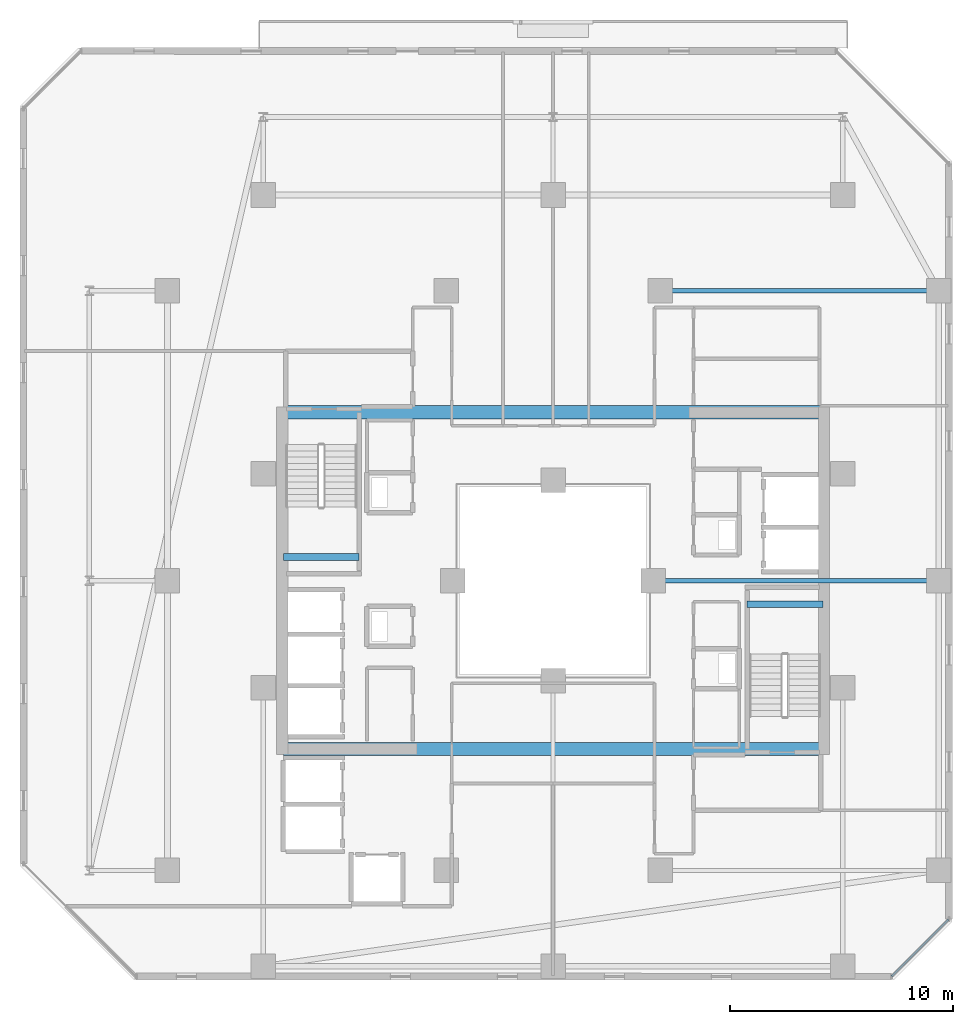
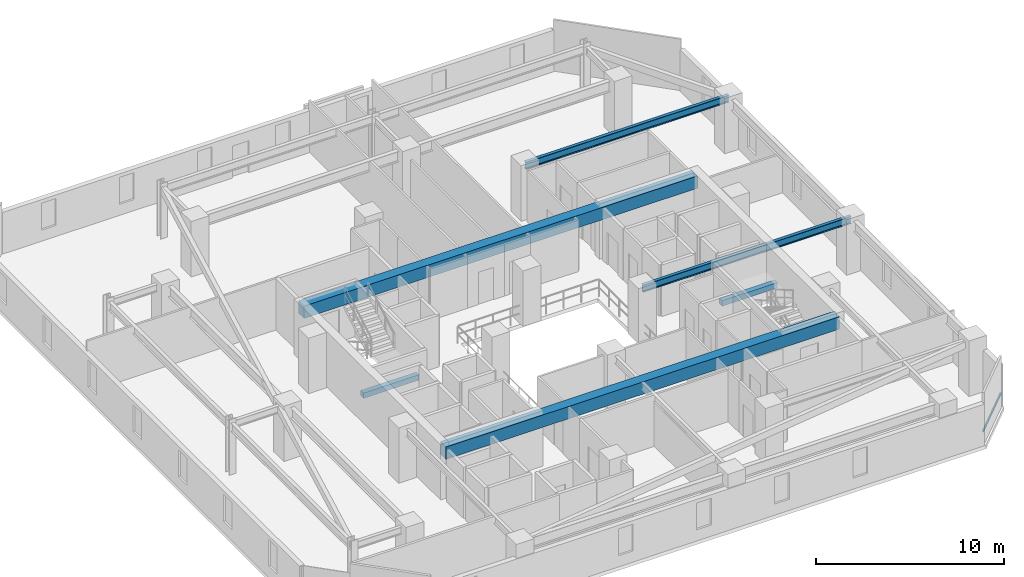
# One storey, part 14 of 33: 6 beams, 1 member, 1 element without a shape of its own.
"""IFC4 building model written with IfcOpenShell, lengths in metres."""

from ifc_helpers import new_model, si_unit, direction, frame, origin, origin_2d, place, context, subcontext, project, spatial, rectangle, hollow_rectangle, i_section, extrude, material, material_profile, profile_set, type_object, element, aggregate, save


model = new_model("IFC4")

# Units and contexts
model_context = context("Model", 3, precision=1e-05, world=origin(), true_north=direction((0.0, 1.0)))
body_context = subcontext(model_context, "Body", "Model", "MODEL_VIEW")
ifc_project = project(units=[si_unit("LENGTHUNIT", "METRE"), si_unit("AREAUNIT", "SQUARE_METRE"), si_unit("VOLUMEUNIT", "CUBIC_METRE"), si_unit("PLANEANGLEUNIT", "RADIAN"), si_unit("MASSUNIT", "GRAM", prefix="KILO")], contexts=[model_context])

# Site, building, storey
site_placement = place(None, origin())
site = spatial("IfcSite", under=ifc_project, at=site_placement, CompositionType="ELEMENT")
building_placement = place(site_placement, origin())
building = spatial("IfcBuilding", under=site, at=building_placement, Name="Thornwick Lancets Civic Towers", CompositionType="ELEMENT")
storey_placement = place(building_placement, frame((0.0, 0.0, 189.300048828125)))
storey = spatial("IfcBuildingStorey", under=building, at=storey_placement, Name="L50", CompositionType="ELEMENT", Elevation=189.300048828125)

# Beams
ifc_material_1 = material(Name="Concrete C60/75", Category="concrete")
ifc_material_profile_1 = material_profile(ifc_material_1, rectangle(XDim=0.60009765625, YDim=0.800048828125, at=origin_2d()), Name="RC 600x800")
ifc_profile_set_1 = profile_set([ifc_material_profile_1], Name="Concrete C60/75")
beam_type_1 = type_object("IfcBeamType", Name="BM_COUP_RC800", PredefinedType="BEAM", material=ifc_profile_set_1)
for number, where, z_axis, x_axis, name in (
    (1, (76.39990234375, 34.550048828125, 2.9599609375), (1.0, 0.0, 0.0), (0.0, 1.0, 0.0), "CB-L50-B1"),
    (2, (76.39990234375, 19.449951171875, 2.9599609375), (1.0, 0.0, 0.0), (0.0, 1.0, 0.0), "CB-L50-B2"),
):
    element("IfcBeam", number, at=place(storey_placement, frame(where, z_axis=z_axis, x_axis=x_axis)), inside=storey, type_object=beam_type_1, Name=name, PredefinedType="BEAM", context=body_context, shape_type="SweptSolid", body=[
        extrude(rectangle(XDim=0.60009765625, YDim=0.800048828125, at=origin_2d()), origin(), (0.0, 0.0, 1.0), 24.2001953125),
    ])
ifc_material_2 = material(Name="Steel S355JR", Category="steel")
ifc_material_profile_2 = material_profile(ifc_material_2, i_section(OverallWidth=0.19287109375, OverallDepth=0.46728515625, WebThickness=0.011474609375, FlangeThickness=0.01953125, FilletRadius=0.01025390625, at=origin_2d()), Name="UKB 457x191x98")
ifc_profile_set_2 = profile_set([ifc_material_profile_2], Name="Steel S355JR")
beam_type_2 = type_object("IfcBeamType", Name="BM_JOIST_457_98", PredefinedType="JOIST", material=ifc_profile_set_2)
beam_1_placement = place(storey_placement, frame((93.0, 27.0, 3.12646484375), z_axis=(1.0, 0.0, 0.0), x_axis=(0.0, 1.0, 0.0)))
element("IfcBeam", 3, at=beam_1_placement, inside=storey, type_object=beam_type_2, Name="BM-RADIN-L50-B02", PredefinedType="JOIST", context=body_context, shape_type="SweptSolid", body=[
    extrude(i_section(OverallWidth=0.19287109375, OverallDepth=0.46728515625, WebThickness=0.011474609375, FlangeThickness=0.01953125, FilletRadius=0.01025390625, at=origin_2d()), origin(), (0.0, 0.0, 1.0), 12.800048828125),
])
beam_2_placement = place(storey_placement, frame((93.300048828125, 40.0, 3.12646484375), z_axis=(1.0, 0.0, 0.0), x_axis=(0.0, 1.0, 0.0)))
element("IfcBeam", 4, at=beam_2_placement, inside=storey, type_object=beam_type_2, Name="BM-RADIN-L50-B03", PredefinedType="JOIST", context=body_context, shape_type="SweptSolid", body=[
    extrude(i_section(OverallWidth=0.19287109375, OverallDepth=0.46728515625, WebThickness=0.011474609375, FlangeThickness=0.01953125, FilletRadius=0.01025390625, at=origin_2d()), origin(), (0.0, 0.0, 1.0), 12.5),
])
ifc_material_3 = material(Name="Concrete C40/50", Category="concrete")
ifc_material_profile_3 = material_profile(ifc_material_3, rectangle(XDim=0.300048828125, YDim=0.35009765625, at=origin_2d()), Name="RC 300x350")
ifc_profile_set_3 = profile_set([ifc_material_profile_3], Name="Concrete C40/50")
beam_type_3 = type_object("IfcBeamType", Name="BM_STAIR_LDG", PredefinedType="BEAM", material=ifc_profile_set_3)
for number, where, z_axis, x_axis, name in (
    (5, (100.60009765625, 25.93505859375, 1.3779296875), (-1.0, 0.0, 0.0), (0.0, -1.0, 0.0), "L50 ST-B1 Landing Support Beam 1"),
    (6, (76.39990234375, 28.06494140625, 1.3779296875), (1.0, 0.0, 0.0), (0.0, 1.0, 0.0), "L50 ST-B2 Landing Support Beam 1"),
):
    element("IfcBeam", number, at=place(storey_placement, frame(where, z_axis=z_axis, x_axis=x_axis)), inside=storey, type_object=beam_type_3, Name=name, PredefinedType="BEAM", context=body_context, shape_type="SweptSolid", body=[
        extrude(rectangle(XDim=0.300048828125, YDim=0.35009765625, at=origin_2d()), origin(), (0.0, 0.0, 1.0), 3.400146484375),
    ])

# Curtain wall, member
ifc_material_4 = material(Name="Mid-zone chamfered-corner unitised glass curtain wall", Category="glass")
curtain_wall_type = type_object("IfcCurtainWallType", Name="CW_SYS_04", PredefinedType="NOTDEFINED", material=ifc_material_4)
curtain_wall_placement = place(storey_placement, origin())
curtain_wall = element("IfcCurtainWall", 7, at=curtain_wall_placement, inside=storey, type_object=curtain_wall_type, Name="L50 Curtain Wall CW-L50-B-E1", PredefinedType="NOTDEFINED")
ifc_material_5 = material(Name="Thermally broken bronze aluminium S355", Category="steel")
ifc_material_profile_4 = material_profile(ifc_material_5, hollow_rectangle(XDim=0.074951171875, YDim=0.14990234375, WallThickness=0.0048828125, at=origin_2d()), Name="RHS 150x75x5")
ifc_profile_set_4 = profile_set([ifc_material_profile_4], Name="Thermally broken bronze aluminium S355")
member_type = type_object("IfcMemberType", Name="CW_TRN_150", PredefinedType="USERDEFINED", material=ifc_profile_set_4)
member_placement = place(storey_placement, frame((103.695556640625, 9.24951171875, 0.849853515625), z_axis=(0.707106781187, 0.707106781187, 0.0), x_axis=(-0.707106781187, 0.707106781187, 0.0)))
member = element("IfcMember", 8, at=member_placement, type_object=member_type, Name="CW-L50-B-E1 Transom 0", ObjectType="TRANSOM", PredefinedType="USERDEFINED", context=body_context, shape_type="SweptSolid", body=[
    extrude(hollow_rectangle(XDim=0.074951171875, YDim=0.14990234375, WallThickness=0.0048828125, at=origin_2d()), origin(), (0.0, 0.0, 1.0), 3.61328125),
])
aggregate(curtain_wall, [member])

save(model, "model.ifc")
